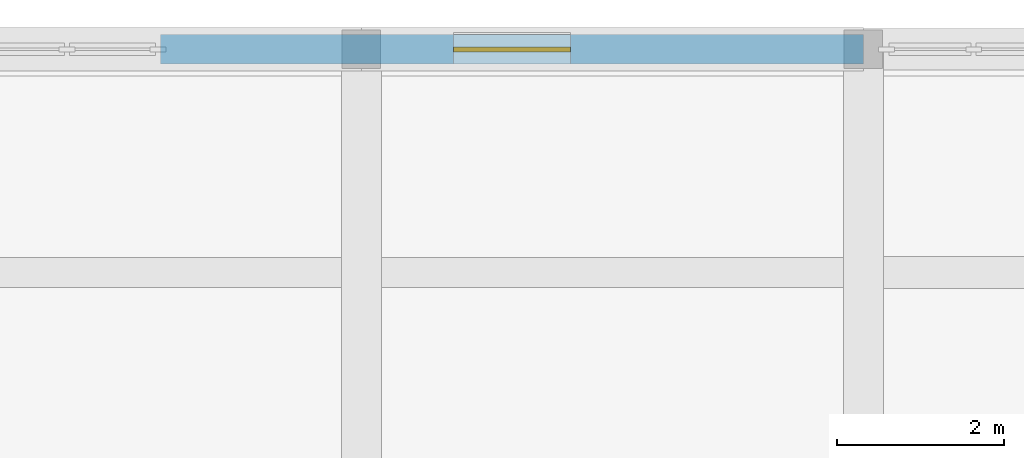
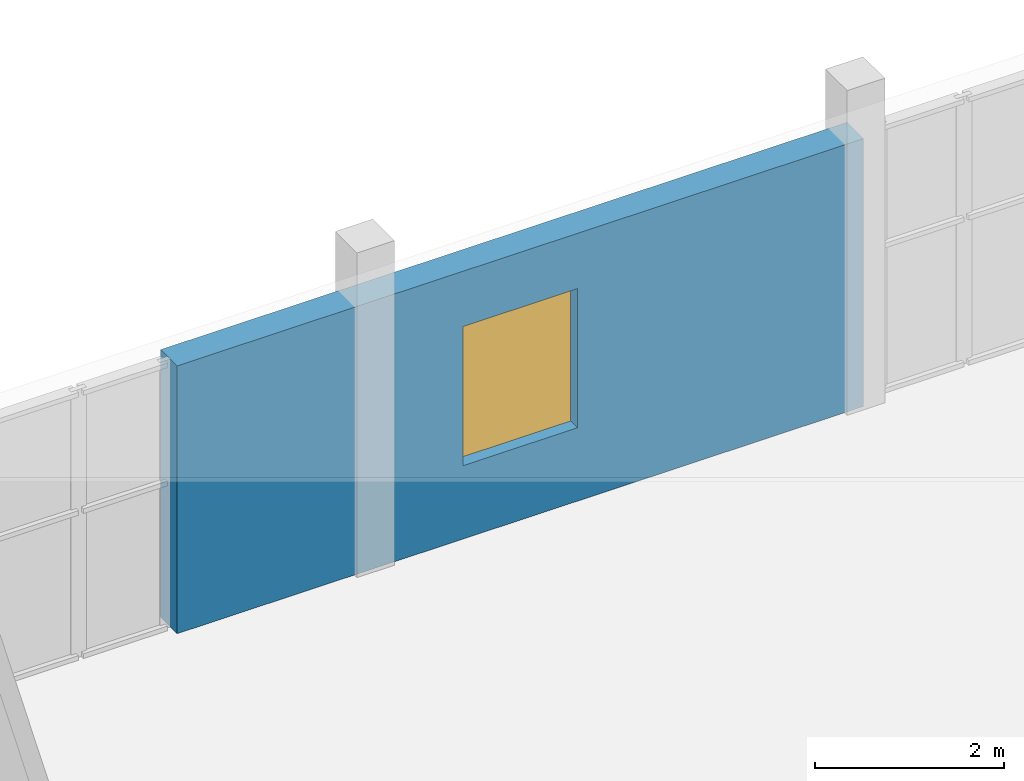
# One storey, part 56 of 70: 1 wall, 1 window, 1 opening.
"""IFC4 building model written with IfcOpenShell, lengths in metres."""

from ifc_helpers import new_model, si_unit, direction, frame, frame_2d, origin, place, context, subcontext, project, spatial, rectangle, extrude, material, layer, layer_set, type_object, element, fill, save


model = new_model("IFC4")

# Units and contexts
model_context = context("Model", 3, precision=1e-05, world=origin(), true_north=direction((0.0, 1.0)))
body_context = subcontext(model_context, "Body", "Model", "MODEL_VIEW")
ifc_project = project(units=[si_unit("LENGTHUNIT", "METRE"), si_unit("AREAUNIT", "SQUARE_METRE"), si_unit("VOLUMEUNIT", "CUBIC_METRE"), si_unit("PLANEANGLEUNIT", "RADIAN"), si_unit("MASSUNIT", "GRAM", prefix="KILO")], contexts=[model_context])

# Site, building, storey
site_placement = place(None, origin())
site = spatial("IfcSite", under=ifc_project, at=site_placement, CompositionType="ELEMENT")
building_placement = place(site_placement, origin())
building = spatial("IfcBuilding", under=site, at=building_placement, Name="Solvane Community Centre", CompositionType="ELEMENT")
storey_placement = place(building_placement, frame((0.0, 0.0, 9.60009765625)))
storey = spatial("IfcBuildingStorey", under=building, at=storey_placement, Name="L02", CompositionType="ELEMENT", Elevation=9.60009765625)

# Wall, opening, window
ifc_material_1 = material(Name="Precast concrete C35/45", Category="concrete")
ifc_layer = layer(ifc_material_1, 0.35009765625)
ifc_layer_set = layer_set([ifc_layer], Name="Precast concrete C35/45")
wall_type = type_object("IfcWallType", Name="Art Deco Limestone Cavity Wall 350mm [84x35dm]", PredefinedType="SOLIDWALL", material=ifc_layer_set)
wall_placement = place(storey_placement, frame((51.60009765625, 110.0, 0.0), z_axis=(0.0, 0.0, 1.0), x_axis=(1.0, 0.0, 0.0)))
wall = element("IfcWall", 1, at=wall_placement, inside=storey, type_object=wall_type, Name="Exterior Wall WL-EXT-L02-0131", PredefinedType="SOLIDWALL", context=body_context, shape_type="SweptSolid", body=[
    extrude(rectangle(XDim=8.39990234375, YDim=0.35009765625, at=frame_2d((4.199951171875, 0.0))), origin(), (0.0, 0.0, 1.0), 3.46484375),
])
opening_placement = place(wall_placement, frame((3.5, 0.0, 0.949951171875)))
opening = element("IfcOpeningElement", 2, at=opening_placement, cuts=wall, Name="Opening WN05", PredefinedType="OPENING", context=body_context, shape_type="SweptSolid", body=[
    extrude(rectangle(XDim=1.39990234375, YDim=1.800048828125, at=frame_2d((0.699951171875, 0.89990234375))), frame((0.0, 0.18505859375, 0.0), z_axis=(0.0, -1.0, 0.0), x_axis=(1.0, 0.0, 0.0)), (0.0, 0.0, 1.0), 0.3701171875),
])
ifc_material_2 = material(Name="Tempered low-E double glazing", Category="glass")
window_type = type_object("IfcWindowType", Name="Studio Deep-Reveal Window 1400x1800", PartitioningType="SINGLE_PANEL", PredefinedType="WINDOW", material=ifc_material_2)
window_placement = place(opening_placement, origin())
window = element("IfcWindow", 3, at=window_placement, inside=storey, type_object=window_type, Name="L02-W058", OverallHeight=1.800048828125, OverallWidth=1.39990234375, PartitioningType="SINGLE_PANEL", PredefinedType="WINDOW", context=body_context, shape_type="SweptSolid", body=[
    extrude(rectangle(XDim=1.39990234375, YDim=1.800048828125, at=frame_2d((0.699951171875, 0.89990234375))), frame((0.0, 0.030029296875, 0.0), z_axis=(0.0, -1.0, 0.0), x_axis=(1.0, 0.0, 0.0)), (0.0, 0.0, 1.0), 0.06005859375),
])
fill(opening, window)

save(model, "model.ifc")
